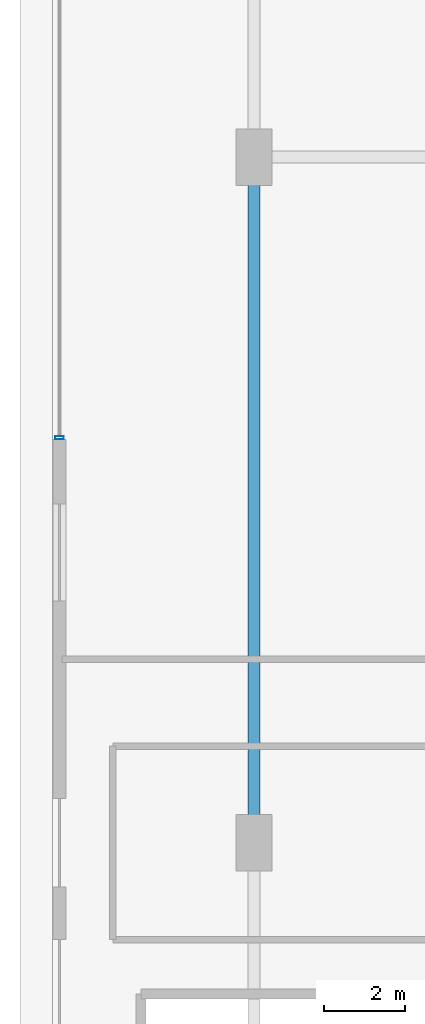
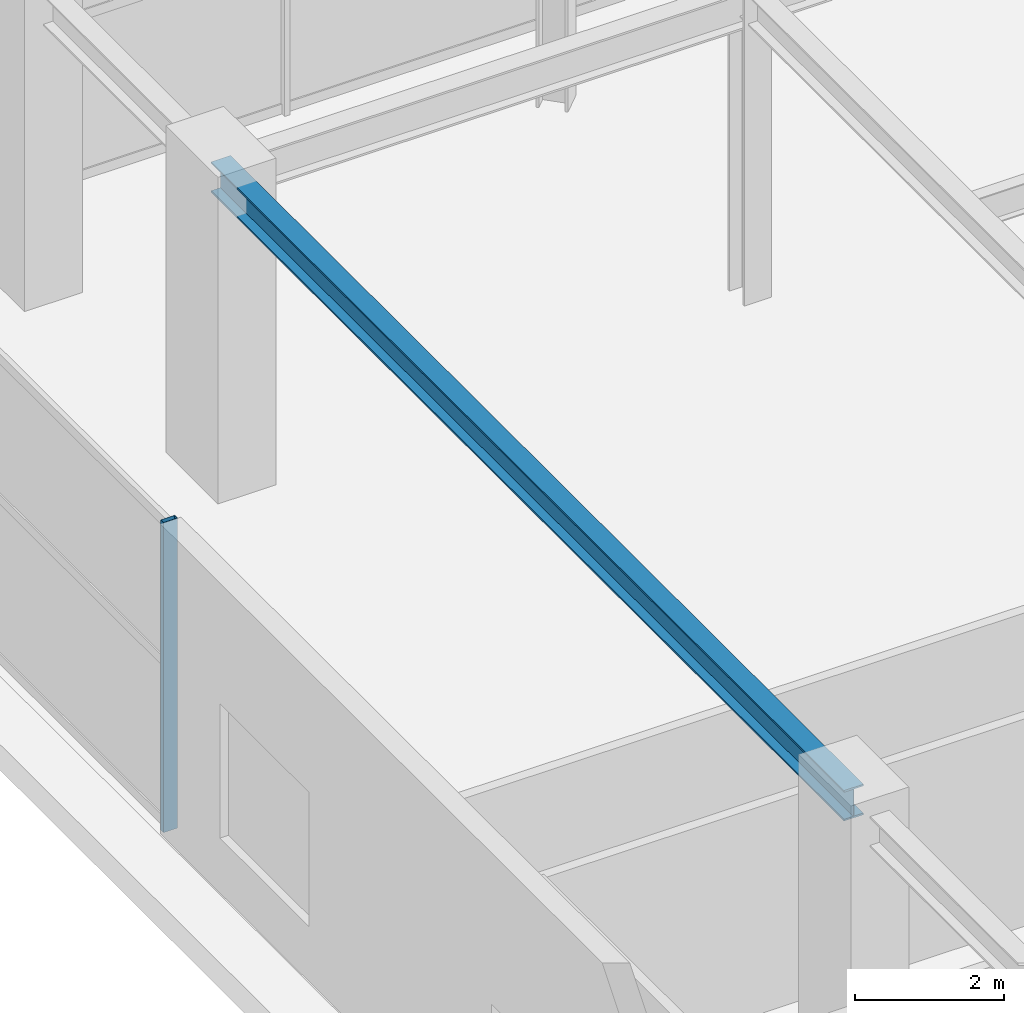
# One storey, part 11 of 29: 1 beam, 1 member, 1 element without a shape of its own.
"""IFC4 building model written with IfcOpenShell, lengths in metres."""

from ifc_helpers import new_model, si_unit, direction, frame, origin, origin_2d, place, context, subcontext, project, spatial, hollow_rectangle, i_section, extrude, source, transform, mapped, material, material_profile, profile_set, type_object, element, aggregate, save


model = new_model("IFC4")

# Units and contexts
model_context = context("Model", 3, precision=1e-05, world=origin(), true_north=direction((0.0, 1.0)))
body_context = subcontext(model_context, "Body", "Model", "MODEL_VIEW")
ifc_project = project(units=[si_unit("LENGTHUNIT", "METRE"), si_unit("AREAUNIT", "SQUARE_METRE"), si_unit("VOLUMEUNIT", "CUBIC_METRE"), si_unit("PLANEANGLEUNIT", "RADIAN"), si_unit("MASSUNIT", "GRAM", prefix="KILO")], contexts=[model_context])

# Site, building, storey
site_placement = place(None, origin())
site = spatial("IfcSite", under=ifc_project, at=site_placement, CompositionType="ELEMENT")
building_placement = place(site_placement, origin())
building = spatial("IfcBuilding", under=site, at=building_placement, Name="Nahalor Promenade Grand Hotel", CompositionType="ELEMENT")
storey_placement = place(building_placement, origin())
storey = spatial("IfcBuildingStorey", under=building, at=storey_placement, Name="L00", CompositionType="ELEMENT", Elevation=0.0)

# Beam
ifc_material_1 = material(Name="Steel S355JR", Category="steel")
ifc_material_profile_1 = material_profile(ifc_material_1, i_section(OverallWidth=0.3, OverallDepth=0.5, WebThickness=0.0145, FlangeThickness=0.028, at=origin_2d()), Name="HEB 500")
ifc_profile_set_1 = profile_set([ifc_material_profile_1], Name="Steel S355JR")
beam_type = type_object("IfcBeamType", Name="Beam-Spandrel-HEB500", PredefinedType="SPANDREL", material=ifc_profile_set_1)
shared_shape_1 = source(origin(), body_context, "Body", "SweptSolid", [
    extrude(i_section(OverallWidth=0.3, OverallDepth=0.5, WebThickness=0.0145, FlangeThickness=0.028, at=origin_2d()), origin(), (0.0, 0.0, 1.0), 17.0),
])
beam_placement = place(storey_placement, frame((-33.0, 0.0, 4.830078125), z_axis=(0.0, 1.0, 0.0), x_axis=(-1.0, 0.0, 0.0)))
element("IfcBeam", 1, at=beam_placement, inside=storey, type_object=beam_type, Name="BM-L00-PW-2", PredefinedType="SPANDREL", context=body_context, shape_type="MappedRepresentation", body=[
    mapped(shared_shape_1, transform((0.0, 0.0, 0.0), scale=1.0)),
])

# Curtain wall, member
ifc_material_2 = material(Name="Anodised Bronze Aluminium EN AW-6063 T6", Category="aluminium")
curtain_wall_type = type_object("IfcCurtainWallType", Name="CW1 Waterfront Podium Bronze Arcade Curtain Wall", PredefinedType="USERDEFINED", material=ifc_material_2)
curtain_wall_placement = place(storey_placement, origin())
curtain_wall = element("IfcCurtainWall", 2, at=curtain_wall_placement, inside=storey, type_object=curtain_wall_type, Name="L00 Curtain Wall CW-L00-W-N", ObjectType="UNITISED_CURTAIN_WALL", PredefinedType="USERDEFINED")
ifc_material_profile_2 = material_profile(ifc_material_2, hollow_rectangle(XDim=0.08, YDim=0.22, WallThickness=0.005, at=origin_2d()), Name="CWM 80x220x5")
ifc_profile_set_2 = profile_set([ifc_material_profile_2], Name="Anodised Bronze Aluminium EN AW-6063 T6")
member_type = type_object("IfcMemberType", Name="CWM1 Podium Bronze Mullion 80x220", PredefinedType="MULLION", material=ifc_profile_set_2)
shared_shape_2 = source(origin(), body_context, "Body", "SweptSolid", [
    extrude(hollow_rectangle(XDim=0.08, YDim=0.22, WallThickness=0.005, at=origin_2d()), origin(), (0.0, 0.0, 1.0), 5.080078125),
])
member_placement = place(storey_placement, frame((-37.820068359375, 10.0400390625, 0.0), z_axis=(0.0, 0.0, 1.0), x_axis=(0.0, 1.0, 0.0)))
member = element("IfcMember", 3, at=member_placement, type_object=member_type, Name="CW-L00-W-N Mullion 0", PredefinedType="MULLION", context=body_context, shape_type="MappedRepresentation", body=[
    mapped(shared_shape_2, transform((0.0, 0.0, 0.0), scale=1.0)),
])
aggregate(curtain_wall, [member])

save(model, "model.ifc")
